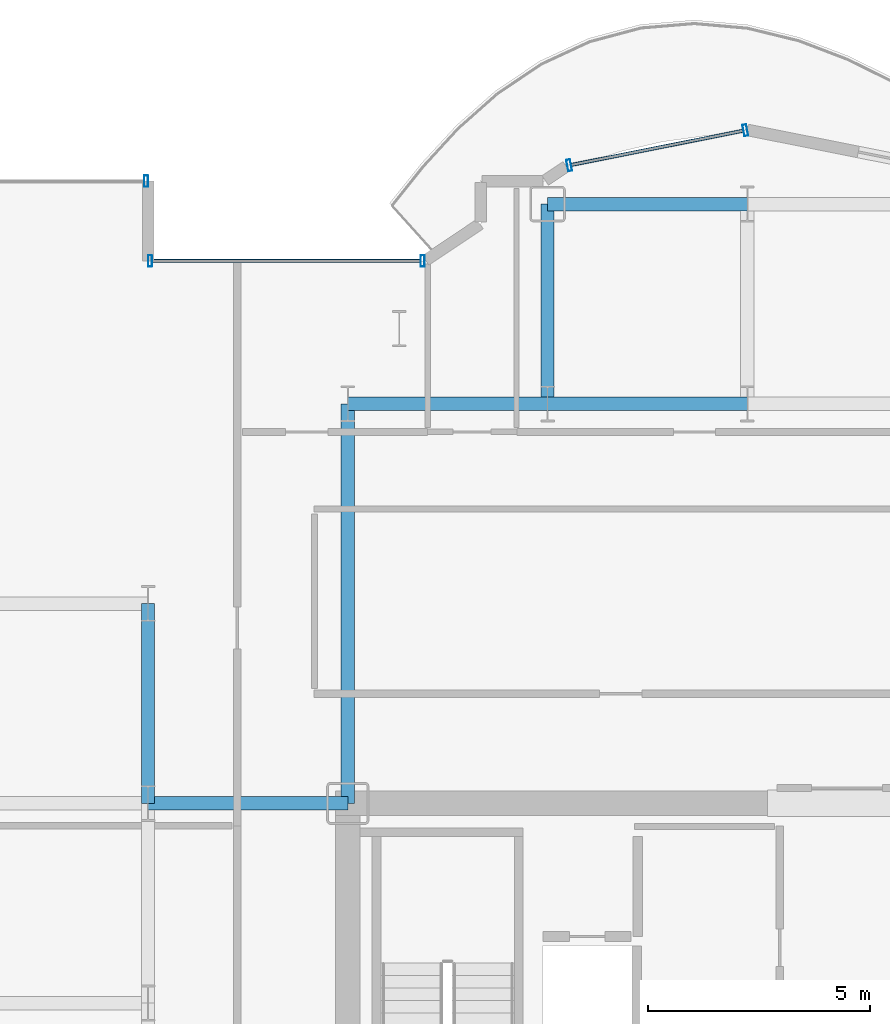
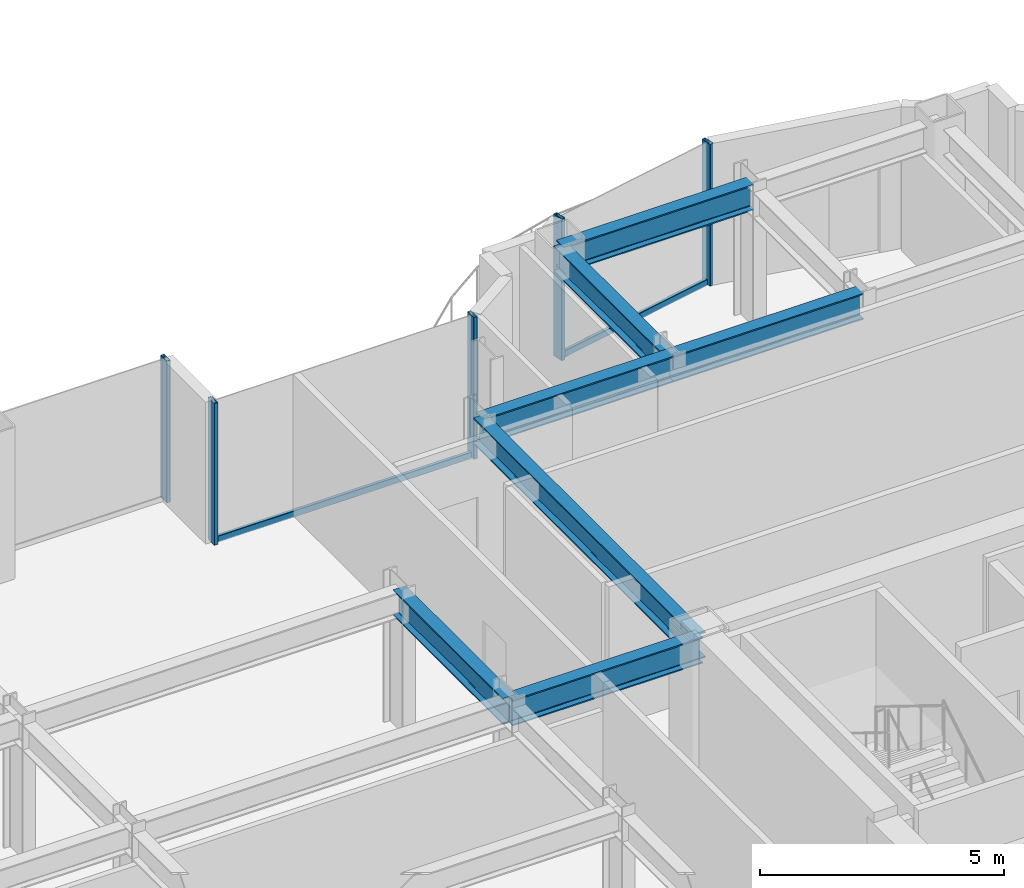
# One storey, part 11 of 22: 7 beams, 7 members, 3 elements without a shape of their own.
"""IFC4 building model written with IfcOpenShell, lengths in metres."""

from ifc_helpers import new_model, si_unit, direction, frame, origin, origin_2d, place, context, subcontext, project, spatial, hollow_rectangle, i_section, extrude, source, transform, mapped, material, layer, layer_set, material_profile, profile_set, type_object, element, aggregate, save


model = new_model("IFC4")

# Units and contexts
model_context = context("Model", 3, precision=1e-05, world=origin(), true_north=direction((0.0, 1.0)))
body_context = subcontext(model_context, "Body", "Model", "MODEL_VIEW")
ifc_project = project(units=[si_unit("LENGTHUNIT", "METRE"), si_unit("AREAUNIT", "SQUARE_METRE"), si_unit("VOLUMEUNIT", "CUBIC_METRE"), si_unit("PLANEANGLEUNIT", "RADIAN"), si_unit("MASSUNIT", "GRAM", prefix="KILO")], contexts=[model_context])

# Site, building, storey
site_placement = place(None, origin())
site = spatial("IfcSite", under=ifc_project, at=site_placement, CompositionType="ELEMENT")
building_placement = place(site_placement, origin())
building = spatial("IfcBuilding", under=site, at=building_placement, Name="Nefas-Gora Pilgrimage Tower", CompositionType="ELEMENT")
storey_placement = place(building_placement, frame((0.0, 0.0, 179.199951171875)))
storey = spatial("IfcBuildingStorey", under=building, at=storey_placement, Name="L44", CompositionType="ELEMENT", Elevation=179.199951171875)

# Beams
ifc_material_1 = material(Name="Steel S355", Category="steel")
ifc_material_profile_1 = material_profile(ifc_material_1, i_section(OverallWidth=0.300048828125, OverallDepth=0.64990234375, WebThickness=0.01611328125, FlangeThickness=0.031005859375, FilletRadius=0.027099609375, at=origin_2d()), Name="HEB 650")
ifc_profile_set_1 = profile_set([ifc_material_profile_1], Name="Steel S355")
beam_type = type_object("IfcBeamType", Name="BM-GIR-HEB650", PredefinedType="BEAM", material=ifc_profile_set_1)
shared_shape_1 = source(origin(), body_context, "Body", "SweptSolid", [
    extrude(i_section(OverallWidth=0.300048828125, OverallDepth=0.64990234375, WebThickness=0.01611328125, FlangeThickness=0.031005859375, FilletRadius=0.027099609375, at=origin_2d()), origin(), (0.0, 0.0, 1.0), 9.0),
])
beam_placement = place(storey_placement, frame((-11.25, 9.0, 3.22509765625), z_axis=(0.0, 1.0, 0.0), x_axis=(-1.0, 0.0, 0.0)))
element("IfcBeam", 1, at=beam_placement, inside=storey, type_object=beam_type, Name="L44 G-03 beam", PredefinedType="BEAM", context=body_context, shape_type="MappedRepresentation", body=[
    mapped(shared_shape_1, transform((0.0, 0.0, 0.0), x_axis=(1.0, 0.0, 0.0), y_axis=(0.0, 1.0, 0.0), z_axis=(0.0, 0.0, 1.0), scale=1.0)),
])
shared_shape_2 = source(origin(), body_context, "Body", "SweptSolid", [
    extrude(i_section(OverallWidth=0.300048828125, OverallDepth=0.64990234375, WebThickness=0.01611328125, FlangeThickness=0.031005859375, FilletRadius=0.027099609375, at=origin_2d()), origin(), (0.0, 0.0, 1.0), 4.5),
])
for number, where, z_axis, x_axis, name in (
    (2, (-15.75, 9.0, 3.22509765625), (0.0, 1.0, 0.0), (-1.0, 0.0, 0.0), "L44 G-03 beam"),
    (3, (-15.75, 9.0, 3.22509765625), (1.0, 0.0, 0.0), (0.0, 1.0, 0.0), "L44 G-03 beam"),
    (4, (-11.25, 18.0, 3.22509765625), (1.0, 0.0, 0.0), (0.0, 1.0, 0.0), "L44 G-03 beam"),
    (5, (-6.75, 18.0, 3.22509765625), (0.0, 1.0, 0.0), (-1.0, 0.0, 0.0), "L44 G-03 beam"),
    (6, (-6.75, 18.0, 3.22509765625), (1.0, 0.0, 0.0), (0.0, 1.0, 0.0), "L44 G-03 beam"),
    (7, (-6.75, 22.5, 3.22509765625), (1.0, 0.0, 0.0), (0.0, 1.0, 0.0), "L44 G-03 beam"),
):
    element("IfcBeam", number, at=place(storey_placement, frame(where, z_axis=z_axis, x_axis=x_axis)), inside=storey, type_object=beam_type, Name=name, PredefinedType="BEAM", context=body_context, shape_type="MappedRepresentation", body=[
        mapped(shared_shape_2, transform((0.0, 0.0, 0.0), x_axis=(1.0, 0.0, 0.0), y_axis=(0.0, 1.0, 0.0), z_axis=(0.0, 0.0, 1.0), scale=1.0)),
    ])

# Curtain wall, members
ifc_material_2 = material(Name="Dark ceramic-fritted solar-control aluminium-glass curtain wall", Category="aluminium")
ifc_layer_1 = layer(ifc_material_2, 0.219970703125)
ifc_layer_set_1 = layer_set([ifc_layer_1], Name="Dark ceramic-fritted solar-control aluminium-glass curtain wall")
curtain_wall_type_1 = type_object("IfcCurtainWallType", Name="CW-SYS-5", PredefinedType="NOTDEFINED", material=ifc_layer_set_1)
curtain_wall_1_placement = place(storey_placement, origin())
curtain_wall_1 = element("IfcCurtainWall", 8, at=curtain_wall_1_placement, inside=storey, type_object=curtain_wall_type_1, Name="L44 Unitised Curtain Wall CW5", PredefinedType="NOTDEFINED")
ifc_material_3 = material(Name="Anodised architectural aluminium", Category="aluminium")
ifc_material_profile_2 = material_profile(ifc_material_3, hollow_rectangle(XDim=0.090087890625, YDim=0.260009765625, WallThickness=0.006103515625, InnerFilletRadius=0.006103515625, OuterFilletRadius=0.011962890625, at=origin_2d()), Name="ALU MULLION 90x260")
ifc_profile_set_2 = profile_set([ifc_material_profile_2], Name="Anodised architectural aluminium")
member_type_1 = type_object("IfcMemberType", Name="CWM-MUL-5", PredefinedType="MULLION", material=ifc_profile_set_2)
shared_shape_3 = source(origin(), body_context, "Body", "SweptSolid", [
    extrude(hollow_rectangle(XDim=0.090087890625, YDim=0.260009765625, WallThickness=0.006103515625, InnerFilletRadius=0.006103515625, OuterFilletRadius=0.011962890625, at=origin_2d()), origin(), (0.0, 0.0, 1.0), 3.550048828125),
])
member_1_placement = place(storey_placement, frame((-2.294189453125, 24.16357421875, 0.0), z_axis=(0.0, 0.0, 1.0), x_axis=(-0.980782896852, -0.195102304554, 0.0)))
member_1 = element("IfcMember", 9, at=member_1_placement, type_object=member_type_1, Name="CW5 Mullion 1", PredefinedType="MULLION", context=body_context, shape_type="MappedRepresentation", body=[
    mapped(shared_shape_3, transform((0.0, 0.0, 0.0), x_axis=(1.0, 0.0, 0.0), y_axis=(0.0, 1.0, 0.0), z_axis=(0.0, 0.0, 1.0), scale=1.0)),
])
member_2_placement = place(storey_placement, frame((-6.26318359375, 23.3740234375, 0.0), z_axis=(0.0, 0.0, 1.0), x_axis=(-0.980782896852, -0.195102304554, 0.0)))
member_2 = element("IfcMember", 10, at=member_2_placement, type_object=member_type_1, Name="CW5 Mullion 2", PredefinedType="MULLION", context=body_context, shape_type="MappedRepresentation", body=[
    mapped(shared_shape_3, transform((0.0, 0.0, 0.0), x_axis=(1.0, 0.0, 0.0), y_axis=(0.0, 1.0, 0.0), z_axis=(0.0, 0.0, 1.0), scale=1.0)),
])

curtain_wall_2_placement = place(storey_placement, origin())
curtain_wall_2 = element("IfcCurtainWall", 11, at=curtain_wall_2_placement, inside=storey, type_object=curtain_wall_type_1, Name="L44 Unitised Curtain Wall CW5", PredefinedType="NOTDEFINED")
member_3_placement = place(storey_placement, frame((-9.56298828125, 21.219970703125, 0.0), z_axis=(0.0, 0.0, 1.0), x_axis=(-1.0, 0.0, 0.0)))
member_3 = element("IfcMember", 12, at=member_3_placement, type_object=member_type_1, Name="CW5 Mullion 1", PredefinedType="MULLION", context=body_context, shape_type="MappedRepresentation", body=[
    mapped(shared_shape_3, transform((0.0, 0.0, 0.0), x_axis=(1.0, 0.0, 0.0), y_axis=(0.0, 1.0, 0.0), z_axis=(0.0, 0.0, 1.0), scale=1.0)),
])
member_4_placement = place(storey_placement, frame((-15.705078125, 21.219970703125, 0.0), z_axis=(0.0, 0.0, 1.0), x_axis=(-1.0, 0.0, 0.0)))
member_4 = element("IfcMember", 13, at=member_4_placement, type_object=member_type_1, Name="CW5 Mullion 2", PredefinedType="MULLION", context=body_context, shape_type="MappedRepresentation", body=[
    mapped(shared_shape_3, transform((0.0, 0.0, 0.0), x_axis=(1.0, 0.0, 0.0), y_axis=(0.0, 1.0, 0.0), z_axis=(0.0, 0.0, 1.0), scale=1.0)),
])
ifc_material_profile_3 = material_profile(ifc_material_3, hollow_rectangle(XDim=0.080078125, YDim=0.159912109375, WallThickness=0.00439453125, InnerFilletRadius=0.00439453125, OuterFilletRadius=0.009033203125, at=origin_2d()), Name="ALU TRANSOM 80x160")
ifc_profile_set_3 = profile_set([ifc_material_profile_3], Name="Anodised architectural aluminium")
member_type_2 = type_object("IfcMemberType", Name="CWM-TRN-5", PredefinedType="USERDEFINED", material=ifc_profile_set_3)
shared_shape_4 = source(origin(), body_context, "Body", "SweptSolid", [
    extrude(hollow_rectangle(XDim=0.080078125, YDim=0.159912109375, WallThickness=0.00439453125, InnerFilletRadius=0.00439453125, OuterFilletRadius=0.009033203125, at=origin_2d()), origin(), (0.0, 0.0, 1.0), 6.052001953125),
])
member_5_placement = place(storey_placement, frame((-9.60791015625, 21.219970703125, 0.050048828125), z_axis=(-1.0, 0.0, 0.0), x_axis=(0.0, -1.0, 0.0)))
member_5 = element("IfcMember", 14, at=member_5_placement, type_object=member_type_2, Name="CW5 Spandrel Transom", ObjectType="TRANSOM", PredefinedType="USERDEFINED", context=body_context, shape_type="MappedRepresentation", body=[
    mapped(shared_shape_4, transform((0.0, 0.0, 0.0), x_axis=(1.0, 0.0, 0.0), y_axis=(0.0, 1.0, 0.0), z_axis=(0.0, 0.0, 1.0), scale=1.0)),
])
aggregate(curtain_wall_2, [member_3, member_4, member_5])

# Member
shared_shape_5 = source(origin(), body_context, "Body", "SweptSolid", [
    extrude(hollow_rectangle(XDim=0.080078125, YDim=0.159912109375, WallThickness=0.00439453125, InnerFilletRadius=0.00439453125, OuterFilletRadius=0.009033203125, at=origin_2d()), origin(), (0.0, 0.0, 1.0), 3.95654296875),
])
member_6_placement = place(storey_placement, frame((-2.33837890625, 24.15478515625, 0.050048828125), z_axis=(-0.980781880918, -0.195107411605, 0.0), x_axis=(0.195107411605, -0.980781880918, 0.0)))
member_6 = element("IfcMember", 15, at=member_6_placement, type_object=member_type_2, Name="CW5 Spandrel Transom", ObjectType="TRANSOM", PredefinedType="USERDEFINED", context=body_context, shape_type="MappedRepresentation", body=[
    mapped(shared_shape_5, transform((0.0, 0.0, 0.0), x_axis=(1.0, 0.0, 0.0), y_axis=(0.0, 1.0, 0.0), z_axis=(0.0, 0.0, 1.0), scale=1.0)),
])

aggregate(curtain_wall_1, [member_1, member_2, member_6])

# Curtain wall, member
ifc_layer_2 = layer(ifc_material_2, 0.219970703125)
ifc_layer_set_2 = layer_set([ifc_layer_2], Name="Dark ceramic-fritted solar-control aluminium-glass curtain wall")
curtain_wall_type_2 = type_object("IfcCurtainWallType", Name="CW-SYS-3", PredefinedType="NOTDEFINED", material=ifc_layer_set_2)
curtain_wall_3_placement = place(storey_placement, origin())
curtain_wall_3 = element("IfcCurtainWall", 16, at=curtain_wall_3_placement, inside=storey, type_object=curtain_wall_type_2, Name="L44 Unitised Curtain Wall CW3", PredefinedType="NOTDEFINED")
ifc_material_profile_4 = material_profile(ifc_material_3, hollow_rectangle(XDim=0.090087890625, YDim=0.260009765625, WallThickness=0.006103515625, InnerFilletRadius=0.006103515625, OuterFilletRadius=0.011962890625, at=origin_2d()), Name="ALU MULLION 90x260")
ifc_profile_set_4 = profile_set([ifc_material_profile_4], Name="Anodised architectural aluminium")
member_type_3 = type_object("IfcMemberType", Name="CWM-MUL-3", PredefinedType="MULLION", material=ifc_profile_set_4)
shared_shape_6 = source(origin(), body_context, "Body", "SweptSolid", [
    extrude(hollow_rectangle(XDim=0.090087890625, YDim=0.260009765625, WallThickness=0.006103515625, InnerFilletRadius=0.006103515625, OuterFilletRadius=0.011962890625, at=origin_2d()), origin(), (0.0, 0.0, 1.0), 3.550048828125),
])
member_7_placement = place(storey_placement, frame((-15.794921875, 23.02001953125, 0.0), z_axis=(0.0, 0.0, 1.0), x_axis=(-1.0, 0.0, 0.0)))
member_7 = element("IfcMember", 17, at=member_7_placement, type_object=member_type_3, Name="CW3 Mullion 1", PredefinedType="MULLION", context=body_context, shape_type="MappedRepresentation", body=[
    mapped(shared_shape_6, transform((0.0, 0.0, 0.0), x_axis=(1.0, 0.0, 0.0), y_axis=(0.0, 1.0, 0.0), z_axis=(0.0, 0.0, 1.0), scale=1.0)),
])
aggregate(curtain_wall_3, [member_7])

save(model, "model.ifc")
